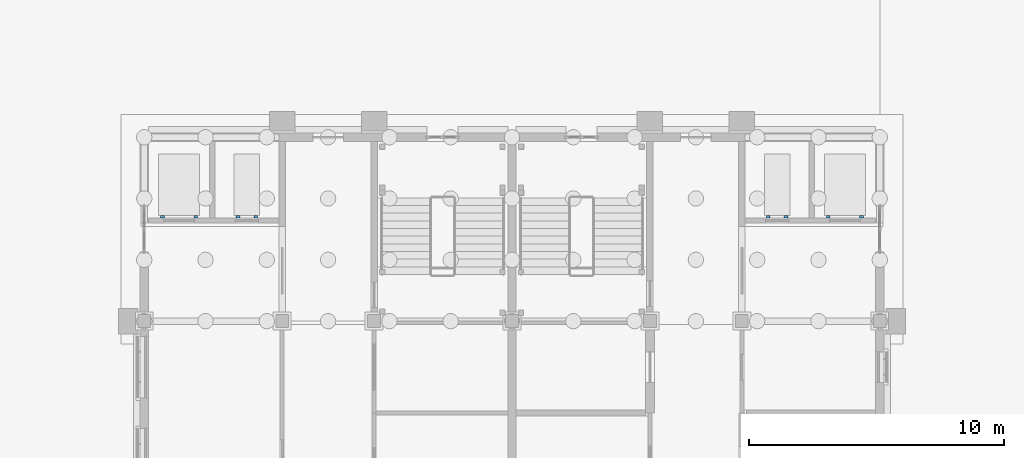
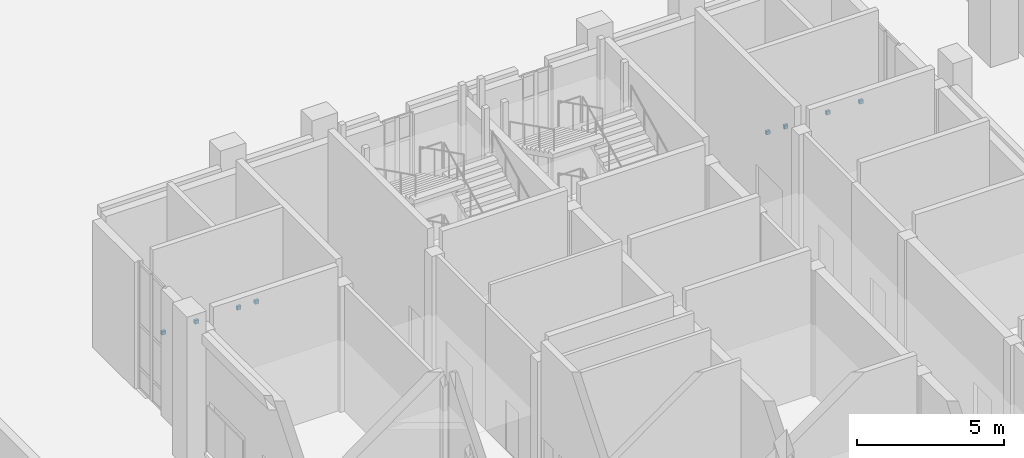
# One storey, part 46 of 84: 8 discrete accessories.
"""IFC4 building model written with IfcOpenShell, lengths in metres."""

from ifc_helpers import new_model, si_unit, direction, frame, origin, origin_2d, place, context, subcontext, project, spatial, rectangle, extrude, material, type_object, element, save


model = new_model("IFC4")

# Units and contexts
model_context = context("Model", 3, precision=1e-05, world=origin(), true_north=direction((0.0, 1.0)))
body_context = subcontext(model_context, "Body", "Model", "MODEL_VIEW")
ifc_project = project(units=[si_unit("LENGTHUNIT", "METRE"), si_unit("AREAUNIT", "SQUARE_METRE"), si_unit("VOLUMEUNIT", "CUBIC_METRE"), si_unit("PLANEANGLEUNIT", "RADIAN"), si_unit("MASSUNIT", "GRAM", prefix="KILO")], contexts=[model_context])

# Site, building, storey
site_placement = place(None, origin())
site = spatial("IfcSite", under=ifc_project, at=site_placement, CompositionType="ELEMENT")
building_placement = place(site_placement, origin())
building = spatial("IfcBuilding", under=site, at=building_placement, Name="Mazhai Court Health Centre", CompositionType="ELEMENT")
storey_placement = place(building_placement, origin())
storey = spatial("IfcBuildingStorey", under=building, at=storey_placement, Name="L00", CompositionType="ELEMENT", Elevation=0.0)

# Discrete accessories
ifc_material = material(Name="Steel IS 2062 E250", Category="steel")
discrete_accessory_type = type_object("IfcDiscreteAccessoryType", Name="LIFT RAIL BRACKET 150", PredefinedType="BRACKET", material=ifc_material)
for number, where, z_axis, x_axis, name in (
    (1, (6.9150390625, 39.0849609375, 2.22509765625), (0.0, 0.0, 1.0), (1.0, 0.0, 0.0), "core-C3-lift1-bracket0"),
    (2, (8.215087890625, 39.0849609375, 2.22509765625), (0.0, 0.0, 1.0), (1.0, 0.0, 0.0), "core-C3-lift1-bracket1"),
    (3, (9.8701171875, 39.0849609375, 2.22509765625), (0.0, 0.0, 1.0), (1.0, 0.0, 0.0), "core-C3-lift2-bracket0"),
    (4, (10.570068359375, 39.0849609375, 2.22509765625), (0.0, 0.0, 1.0), (1.0, 0.0, 0.0), "core-C3-lift2-bracket1"),
    (5, (32.985107421875, 39.0849609375, 2.22509765625), (0.0, 0.0, 1.0), (1.0, 0.0, 0.0), "core-C5-lift1-bracket0"),
    (6, (34.284912109375, 39.0849609375, 2.22509765625), (0.0, 0.0, 1.0), (1.0, 0.0, 0.0), "core-C5-lift1-bracket1"),
    (7, (30.6298828125, 39.0849609375, 2.22509765625), (0.0, 0.0, 1.0), (1.0, 0.0, 0.0), "core-C5-lift2-bracket0"),
    (8, (31.330078125, 39.0849609375, 2.22509765625), (0.0, 0.0, 1.0), (1.0, 0.0, 0.0), "core-C5-lift2-bracket1"),
):
    element("IfcDiscreteAccessory", number, at=place(storey_placement, frame(where, z_axis=z_axis, x_axis=x_axis)), inside=storey, type_object=discrete_accessory_type, Name=name, PredefinedType="BRACKET", context=body_context, shape_type="SweptSolid", body=[
        extrude(rectangle(XDim=0.14990234375, YDim=0.10009765625, at=origin_2d()), origin(), (0.0, 0.0, 1.0), 0.14990234375),
    ])

save(model, "model.ifc")
